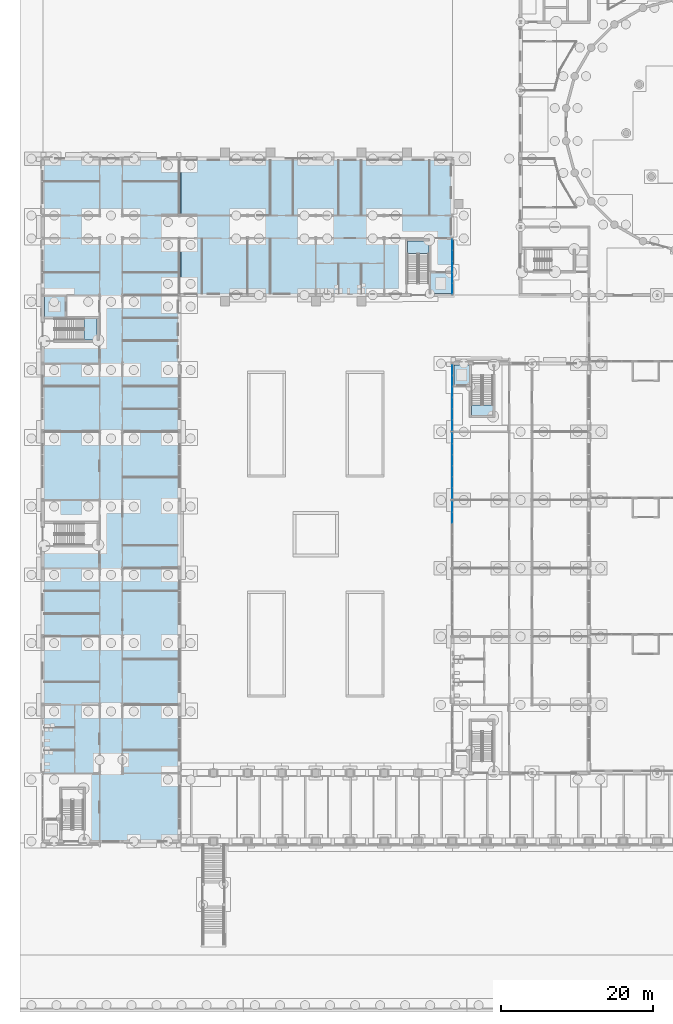
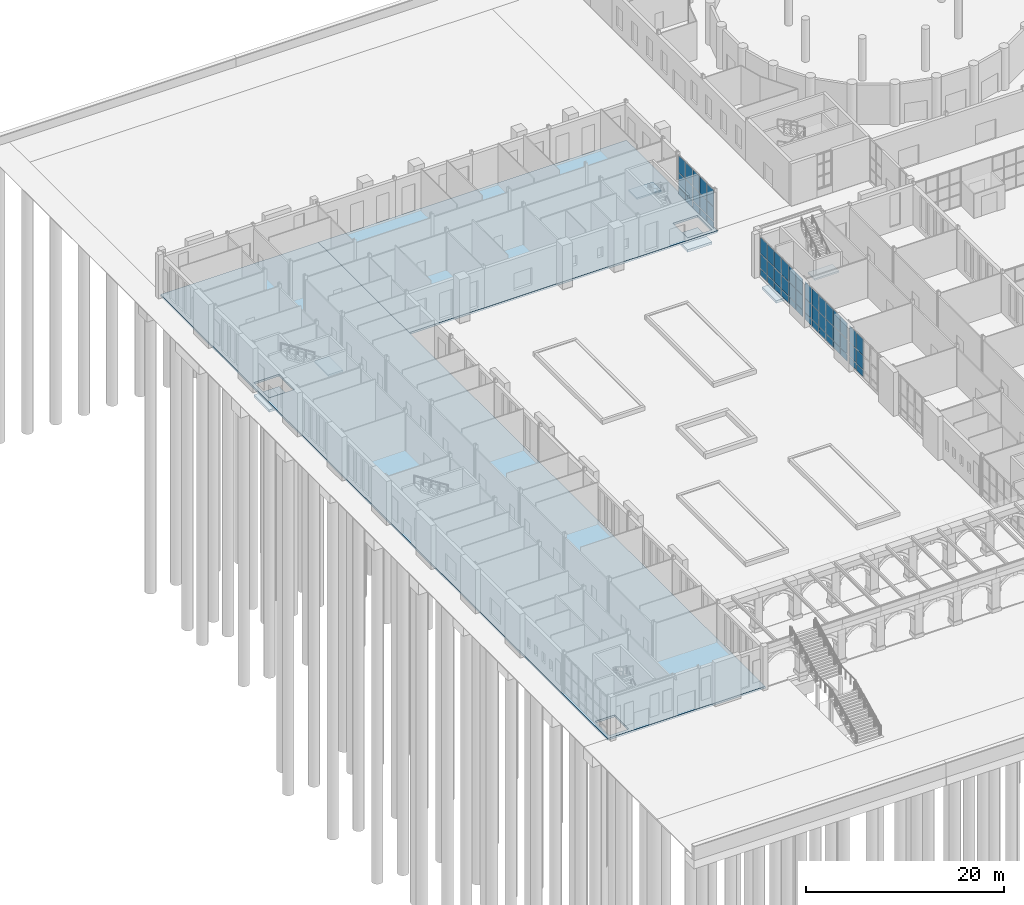
# One storey, part 76 of 168: 57 plates, 8 slabs, 7 elements without a shape of their own.
"""IFC4 building model written with IfcOpenShell, lengths in metres."""

import ifcopenshell
import ifcopenshell.guid

model = None  # the IFC model being written
_history = None  # IfcOwnerHistory: only IFC2X3 demands one
_inside = {}  # id of a spatial element -> (the spatial element, [elements in it])
_under = {}  # id of a project, library or spatial element -> (it, [spatial elements below it])
_declared = {}  # id of a project -> (the project, [libraries it declares])
_typed = {}  # id of a type object -> (the type object, [elements of that type])
_made_of = {}  # id of a material, layer set ... -> (it, [elements and type objects made of it])


def new_model(schema):
    """Start an empty IFC model of exactly this schema.

    Asked for "IFC4X3", IfcOpenShell would pick the latest addendum, in which some entities
    have other attributes; the version numbers below select the first issue.
    IFC2X3 requires an IfcOwnerHistory on every rooted entity: one is made here for all.
    """
    global model, _history
    if schema == "IFC4X3":
        model = ifcopenshell.file(schema_version=(4, 3, 0, 0))
    else:
        model = ifcopenshell.file(schema=schema)
    _inside.clear()
    _under.clear()
    _declared.clear()
    _typed.clear()
    _made_of.clear()
    _history = None
    if model.schema == "IFC2X3":
        org = make("IfcOrganization", Name="unknown")
        user = make(
            "IfcPersonAndOrganization",
            ThePerson=make("IfcPerson", FamilyName="unknown"),
            TheOrganization=org,
        )
        app = make(
            "IfcApplication",
            ApplicationDeveloper=org,
            Version="unknown",
            ApplicationFullName="unknown",
            ApplicationIdentifier="unknown",
        )
        _history = make(
            "IfcOwnerHistory",
            OwningUser=user,
            OwningApplication=app,
            ChangeAction="ADDED",
            CreationDate=0,
        )
    return model


def make(cls, **values):
    """One entity of the class cls with the attributes given. An attribute that is None is left unset."""
    return model.create_entity(
        cls, **{name: value for name, value in values.items() if value is not None}
    )


def rooted(cls, **values):
    """An entity with a GlobalId (a new one), such as an element, a storey or a relation."""
    return make(cls, GlobalId=ifcopenshell.guid.new(), OwnerHistory=_history, **values)


def si_unit(unit_type, name, prefix=None):
    """IfcSIUnit, for example si_unit("LENGTHUNIT", "METRE", prefix="MILLI")."""
    return make("IfcSIUnit", UnitType=unit_type, Prefix=prefix, Name=name)


def assignment(units):
    """IfcUnitAssignment: the units of a project."""
    return None if units is None else make("IfcUnitAssignment", Units=units)


def point(xyz):
    """IfcCartesianPoint."""
    return None if xyz is None else make("IfcCartesianPoint", Coordinates=xyz)


def direction(xyz):
    """IfcDirection."""
    return None if xyz is None else make("IfcDirection", DirectionRatios=xyz)


def frame(location, z_axis=None, x_axis=None):
    """IfcAxis2Placement3D, a coordinate frame: its origin and axes. An axis left out is left unset."""
    return make(
        "IfcAxis2Placement3D",
        Location=point(location),
        Axis=direction(z_axis),
        RefDirection=direction(x_axis),
    )


def frame_2d(location, x_axis=None):
    """IfcAxis2Placement2D, a coordinate frame in the plane: its origin and x axis."""
    return make(
        "IfcAxis2Placement2D", Location=point(location), RefDirection=direction(x_axis)
    )


def origin():
    """The frame at (0, 0, 0) with its axes left unset."""
    return frame((0.0, 0.0, 0.0))


def origin_2d():
    """The frame at (0, 0) in the plane with its x axis left unset."""
    return frame_2d((0.0, 0.0))


def place(relative_to, where):
    """IfcLocalPlacement: puts the frame where relative to a parent placement (None: the world)."""
    return make(
        "IfcLocalPlacement", PlacementRelTo=relative_to, RelativePlacement=where
    )


def context(
    kind, dimensions, precision=None, world=None, true_north=None, identifier=None
):
    """IfcGeometricRepresentationContext, for example the 3D "Model" context."""
    return make(
        "IfcGeometricRepresentationContext",
        ContextIdentifier=identifier,
        ContextType=kind,
        CoordinateSpaceDimension=dimensions,
        Precision=precision,
        WorldCoordinateSystem=world,
        TrueNorth=true_north,
    )


def subcontext(parent, identifier, kind, view, scale=None):
    """IfcGeometricRepresentationSubContext, for example "Body" below "Model"."""
    return make(
        "IfcGeometricRepresentationSubContext",
        ContextIdentifier=identifier,
        ContextType=kind,
        ParentContext=parent,
        TargetScale=scale,
        TargetView=view,
    )


def project(units=None, contexts=None):
    """IfcProject with its units and contexts."""
    return rooted(
        "IfcProject",
        Name="project",
        RepresentationContexts=contexts,
        UnitsInContext=assignment(units),
    )


def spatial(cls, under=None, at=None, **own):
    """A site, building, storey or space (cls), placed at a placement, below another one or the project."""
    s = rooted(cls, ObjectPlacement=at, **own)
    if under is not None:
        _under.setdefault(under.id(), (under, []))[1].append(s)
    return s


def polyline(points):
    """IfcPolyline through the points."""
    return make("IfcPolyline", Points=[point(p) for p in points])


def profile(cls, at=None, kind="AREA", **sizes):
    """A parametric profile (cls). Its sizes go by their IFC names, for example OverallWidth=200.0."""
    return make(cls, ProfileType=kind, Position=at, **sizes)


def rectangle(**sizes):
    """IfcRectangleProfileDef."""
    return profile("IfcRectangleProfileDef", **sizes)


def outline(outer, holes=None, kind="AREA"):
    """IfcArbitraryClosedProfileDef: a profile drawn as a closed curve; with holes, ...WithVoids."""
    if holes is None:
        return make("IfcArbitraryClosedProfileDef", ProfileType=kind, OuterCurve=outer)
    return make(
        "IfcArbitraryProfileDefWithVoids",
        ProfileType=kind,
        OuterCurve=outer,
        InnerCurves=holes,
    )


def extrude(swept, where, along, depth):
    """IfcExtrudedAreaSolid: the profile swept, set in the frame where, extruded along a direction by depth."""
    return make(
        "IfcExtrudedAreaSolid",
        SweptArea=swept,
        Position=where,
        ExtrudedDirection=direction(along),
        Depth=depth,
    )


def shape(context_of_items, identifier, shape_type, items):
    """IfcShapeRepresentation: the items that make up one representation, for example the "Body"."""
    return make(
        "IfcShapeRepresentation",
        ContextOfItems=context_of_items,
        RepresentationIdentifier=identifier,
        RepresentationType=shape_type,
        Items=items,
    )


def material(Name=None, Category=None):
    """IfcMaterial."""
    return make("IfcMaterial", Name=Name, Category=Category)


def layer(
    of_material, thickness, ventilated=None, Name=None, Category=None, Priority=None
):
    """IfcMaterialLayer: one layer of a wall or slab, of a material (None: an air gap)."""
    return make(
        "IfcMaterialLayer",
        Material=of_material,
        LayerThickness=thickness,
        IsVentilated=ventilated,
        Name=Name,
        Category=Category,
        Priority=Priority,
    )


def layer_set(layers, Name=None):
    """IfcMaterialLayerSet."""
    return make("IfcMaterialLayerSet", MaterialLayers=layers, LayerSetName=Name)


def made_of(thing, what):
    """Note that an element or type object is made of a material, layer set ...; save() writes the relation."""
    if what is not None:
        _made_of.setdefault(what.id(), (what, []))[1].append(thing)
    return thing


def type_object(cls, material=None, **own):
    """A type object (cls), such as IfcWallType, which elements share."""
    return made_of(rooted(cls, **own), material)


def element(
    cls,
    number,
    at=None,
    inside=None,
    cuts=None,
    type_object=None,
    material=None,
    context=None,
    identifier="Body",
    shape_type=None,
    held_by="IfcProductDefinitionShape",
    body=None,
    shapes=None,
    **own,
):
    """One element of the class cls, such as IfcWall. Its Tag is "e" and its number.

    at: its placement. inside: the storey or other place that contains it. cuts: it is an
    opening in that element (IfcRelVoidsElement). A single representation is given by context,
    identifier, shape_type and body (its items); several are given by shapes. held_by: the class
    of the entity that holds the representations. save() writes the other relations.
    """
    e = rooted(cls, Tag="e%d" % number, ObjectPlacement=at, **own)
    if body is not None:
        shapes = [shape(context, identifier, shape_type, body)]
    if shapes is not None:
        e.Representation = make(held_by, Representations=shapes)
    if inside is not None:
        _inside.setdefault(inside.id(), (inside, []))[1].append(e)
    if cuts is not None:
        rooted(
            "IfcRelVoidsElement", RelatingBuildingElement=cuts, RelatedOpeningElement=e
        )
    if type_object is not None:
        _typed.setdefault(type_object.id(), (type_object, []))[1].append(e)
    return made_of(e, material)


def aggregate(whole, parts):
    """IfcRelAggregates: a whole, such as a stair, and the parts it consists of."""
    return rooted("IfcRelAggregates", RelatingObject=whole, RelatedObjects=parts)


def save(model, path):
    """Write the relations noted so far, then the file.

    IfcRelAggregates (storeys below a building ...), IfcRelContainedInSpatialStructure (elements
    in a storey), IfcRelDefinesByType, IfcRelAssociatesMaterial and IfcRelDeclares: one each for
    every whole, place, type object, material and project.
    """
    for whole, parts in _under.values():
        aggregate(whole, parts)
    for where, things in _inside.values():
        rooted(
            "IfcRelContainedInSpatialStructure",
            RelatedElements=things,
            RelatingStructure=where,
        )
    for kind, things in _typed.values():
        rooted("IfcRelDefinesByType", RelatedObjects=things, RelatingType=kind)
    for what, things in _made_of.values():
        rooted("IfcRelAssociatesMaterial", RelatedObjects=things, RelatingMaterial=what)
    for by, libraries in _declared.values():
        rooted("IfcRelDeclares", RelatingContext=by, RelatedDefinitions=libraries)
    model.write(path)


model = new_model("IFC4")

# Units and contexts
model_context = context("Model", 3, precision=1e-05, world=origin(), true_north=direction((0.0, 1.0)))
body_context = subcontext(model_context, "Body", "Model", "MODEL_VIEW")
ifc_project = project(units=[si_unit("LENGTHUNIT", "METRE"), si_unit("AREAUNIT", "SQUARE_METRE"), si_unit("VOLUMEUNIT", "CUBIC_METRE"), si_unit("PLANEANGLEUNIT", "RADIAN"), si_unit("MASSUNIT", "GRAM", prefix="KILO")], contexts=[model_context])

# Site, building, storey
site_placement = place(None, origin())
site = spatial("IfcSite", under=ifc_project, at=site_placement, CompositionType="ELEMENT")
building_placement = place(site_placement, origin())
building = spatial("IfcBuilding", under=site, at=building_placement, Name="Golden Quay Civic Hall", CompositionType="ELEMENT")
storey_placement = place(building_placement, origin())
storey = spatial("IfcBuildingStorey", under=building, at=storey_placement, Name="L00", CompositionType="ELEMENT", Elevation=0.0)

# Stair, slab
ifc_material_1 = material(Name="Concrete C35/45", Category="concrete")
stair_type = type_object("IfcStairType", Name="Concrete stair 1350 wide 30 risers of 180.0", PredefinedType="HALF_TURN_STAIR", material=ifc_material_1)
stair_1_placement = place(storey_placement, origin())
stair_1 = element("IfcStair", 1, at=stair_1_placement, inside=storey, type_object=stair_type, Name="L00 Stair WO-N", PredefinedType="HALF_TURN_STAIR")
ifc_material_2 = material(Name="Concrete C35/45", Category="concrete")
ifc_layer_1 = layer(ifc_material_2, 0.199951171875)
ifc_layer_set_1 = layer_set([ifc_layer_1], Name="Concrete stair landing 200, Concrete C35/45")
slab_type_1 = type_object("IfcSlabType", Name="Concrete stair landing 200", PredefinedType="LANDING", material=ifc_layer_set_1)
slab_1_placement = place(storey_placement, frame((0.0, 0.0, 2.5)))
slab_1 = element("IfcSlab", 2, at=slab_1_placement, type_object=slab_type_1, Name="WO-N landing 1", PredefinedType="LANDING", context=body_context, shape_type="SweptSolid", body=[
    extrude(outline(polyline([(5.469970703125, 57.074951171875), (7.175048828125, 57.074951171875), (7.175048828125, 59.925048828125), (5.469970703125, 59.925048828125), (5.469970703125, 57.074951171875)])), origin(), (0.0, 0.0, 1.0), 0.199951171875),
])
aggregate(stair_1, [slab_1])

stair_2_placement = place(storey_placement, origin())
stair_2 = element("IfcStair", 3, at=stair_2_placement, inside=storey, type_object=stair_type, Name="L00 Stair NW-E", PredefinedType="HALF_TURN_STAIR")
slab_2_placement = place(storey_placement, frame((0.0, 0.0, 2.5)))
slab_2 = element("IfcSlab", 4, at=slab_2_placement, type_object=slab_type_1, Name="NW-E landing 1", PredefinedType="LANDING", context=body_context, shape_type="SweptSolid", body=[
    extrude(outline(polyline([(50.925048828125, 68.469970703125), (50.925048828125, 70.175048828125), (48.074951171875, 70.175048828125), (48.074951171875, 68.469970703125), (50.925048828125, 68.469970703125)])), origin(), (0.0, 0.0, 1.0), 0.199951171875),
])
aggregate(stair_2, [slab_2])

stair_3_placement = place(storey_placement, origin())
stair_3 = element("IfcStair", 5, at=stair_3_placement, inside=storey, type_object=stair_type, Name="L00 Stair WM-N", PredefinedType="HALF_TURN_STAIR")
slab_3_placement = place(storey_placement, frame((0.0, 0.0, 2.5)))
slab_3 = element("IfcSlab", 6, at=slab_3_placement, type_object=slab_type_1, Name="WM-N landing 1", PredefinedType="LANDING", context=body_context, shape_type="SweptSolid", body=[
    extrude(outline(polyline([(56.5, 48.530029296875), (56.5, 47.14990234375), (59.35009765625, 47.14990234375), (59.35009765625, 48.530029296875), (56.5, 48.530029296875)])), origin(), (0.0, 0.0, 1.0), 0.199951171875),
])
aggregate(stair_3, [slab_3])

# Curtain wall, plates
ifc_material_3 = material(Name="Glass, laminated double glazed", Category="glass")
ifc_layer_2 = layer(ifc_material_3, 0.199951171875)
ifc_layer_set_2 = layer_set([ifc_layer_2], Name="Glazed core strip curtain wall")
curtain_wall_type = type_object("IfcCurtainWallType", Name="Glazed core strip curtain wall", PredefinedType="NOTDEFINED", material=ifc_layer_set_2)
curtain_wall_1_placement = place(storey_placement, origin())
curtain_wall_1 = element("IfcCurtainWall", 7, at=curtain_wall_1_placement, inside=storey, type_object=curtain_wall_type, Name="Glazed core strip curtain wall L00 2", PredefinedType="NOTDEFINED")
ifc_material_4 = material(Name="Glass, laminated double glazed", Category="glass")
ifc_layer_3 = layer(ifc_material_4, 0.028076171875)
ifc_layer_set_3 = layer_set([ifc_layer_3], Name="Double glazed curtain wall panel 28")
plate_type = type_object("IfcPlateType", Name="Double glazed curtain wall panel 28", PredefinedType="CURTAIN_PANEL", material=ifc_layer_set_3)
plate_1_placement = place(storey_placement, frame((54.0, 69.614990234375, 0.06005859375), z_axis=(0.0, 0.0, 1.0), x_axis=(0.0, -1.0, 0.0)))
plate_1 = element("IfcPlate", 8, at=plate_1_placement, type_object=plate_type, Name="CW2 panel 1.1", PredefinedType="CURTAIN_PANEL", context=body_context, shape_type="SweptSolid", body=[
    extrude(rectangle(XDim=1.35009765625, YDim=0.028076171875, at=origin_2d()), origin(), (0.0, 0.0, 1.0), 0.81005859375),
])
plate_2_placement = place(storey_placement, frame((54.0, 69.614990234375, 0.93017578125), z_axis=(0.0, 0.0, 1.0), x_axis=(0.0, -1.0, 0.0)))
plate_2 = element("IfcPlate", 9, at=plate_2_placement, type_object=plate_type, Name="CW2 panel 1.2", PredefinedType="CURTAIN_PANEL", context=body_context, shape_type="SweptSolid", body=[
    extrude(rectangle(XDim=1.35009765625, YDim=0.028076171875, at=origin_2d()), origin(), (0.0, 0.0, 1.0), 1.739990234375),
])
plate_3_placement = place(storey_placement, frame((54.0, 69.614990234375, 2.72998046875), z_axis=(0.0, 0.0, 1.0), x_axis=(0.0, -1.0, 0.0)))
plate_3 = element("IfcPlate", 10, at=plate_3_placement, type_object=plate_type, Name="CW2 panel 1.3", PredefinedType="CURTAIN_PANEL", context=body_context, shape_type="SweptSolid", body=[
    extrude(rectangle(XDim=1.35009765625, YDim=0.028076171875, at=origin_2d()), origin(), (0.0, 0.0, 1.0), 2.080078125),
])
plate_4_placement = place(storey_placement, frame((54.0, 68.18994140625, 0.06005859375), z_axis=(0.0, 0.0, 1.0), x_axis=(0.0, -1.0, 0.0)))
plate_4 = element("IfcPlate", 11, at=plate_4_placement, type_object=plate_type, Name="CW2 panel 2.1", PredefinedType="CURTAIN_PANEL", context=body_context, shape_type="SweptSolid", body=[
    extrude(rectangle(XDim=1.3798828125, YDim=0.028076171875, at=origin_2d()), origin(), (0.0, 0.0, 1.0), 0.81005859375),
])
plate_5_placement = place(storey_placement, frame((54.0, 68.18994140625, 0.93017578125), z_axis=(0.0, 0.0, 1.0), x_axis=(0.0, -1.0, 0.0)))
plate_5 = element("IfcPlate", 12, at=plate_5_placement, type_object=plate_type, Name="CW2 panel 2.2", PredefinedType="CURTAIN_PANEL", context=body_context, shape_type="SweptSolid", body=[
    extrude(rectangle(XDim=1.3798828125, YDim=0.028076171875, at=origin_2d()), origin(), (0.0, 0.0, 1.0), 1.739990234375),
])
plate_6_placement = place(storey_placement, frame((54.0, 68.18994140625, 2.72998046875), z_axis=(0.0, 0.0, 1.0), x_axis=(0.0, -1.0, 0.0)))
plate_6 = element("IfcPlate", 13, at=plate_6_placement, type_object=plate_type, Name="CW2 panel 2.3", PredefinedType="CURTAIN_PANEL", context=body_context, shape_type="SweptSolid", body=[
    extrude(rectangle(XDim=1.3798828125, YDim=0.028076171875, at=origin_2d()), origin(), (0.0, 0.0, 1.0), 2.080078125),
])
plate_7_placement = place(storey_placement, frame((54.0, 66.75, 0.06005859375), z_axis=(0.0, 0.0, 1.0), x_axis=(0.0, -1.0, 0.0)))
plate_7 = element("IfcPlate", 14, at=plate_7_placement, type_object=plate_type, Name="CW2 panel 3.1", PredefinedType="CURTAIN_PANEL", context=body_context, shape_type="SweptSolid", body=[
    extrude(rectangle(XDim=1.3798828125, YDim=0.028076171875, at=origin_2d()), origin(), (0.0, 0.0, 1.0), 0.81005859375),
])
plate_8_placement = place(storey_placement, frame((54.0, 66.75, 0.93017578125), z_axis=(0.0, 0.0, 1.0), x_axis=(0.0, -1.0, 0.0)))
plate_8 = element("IfcPlate", 15, at=plate_8_placement, type_object=plate_type, Name="CW2 panel 3.2", PredefinedType="CURTAIN_PANEL", context=body_context, shape_type="SweptSolid", body=[
    extrude(rectangle(XDim=1.3798828125, YDim=0.028076171875, at=origin_2d()), origin(), (0.0, 0.0, 1.0), 1.739990234375),
])
plate_9_placement = place(storey_placement, frame((54.0, 66.75, 2.72998046875), z_axis=(0.0, 0.0, 1.0), x_axis=(0.0, -1.0, 0.0)))
plate_9 = element("IfcPlate", 16, at=plate_9_placement, type_object=plate_type, Name="CW2 panel 3.3", PredefinedType="CURTAIN_PANEL", context=body_context, shape_type="SweptSolid", body=[
    extrude(rectangle(XDim=1.3798828125, YDim=0.028076171875, at=origin_2d()), origin(), (0.0, 0.0, 1.0), 2.080078125),
])
plate_10_placement = place(storey_placement, frame((54.0, 65.31005859375, 0.06005859375), z_axis=(0.0, 0.0, 1.0), x_axis=(0.0, -1.0, 0.0)))
plate_10 = element("IfcPlate", 17, at=plate_10_placement, type_object=plate_type, Name="CW2 panel 4.1", PredefinedType="CURTAIN_PANEL", context=body_context, shape_type="SweptSolid", body=[
    extrude(rectangle(XDim=1.3798828125, YDim=0.028076171875, at=origin_2d()), origin(), (0.0, 0.0, 1.0), 0.81005859375),
])
plate_11_placement = place(storey_placement, frame((54.0, 65.31005859375, 0.93017578125), z_axis=(0.0, 0.0, 1.0), x_axis=(0.0, -1.0, 0.0)))
plate_11 = element("IfcPlate", 18, at=plate_11_placement, type_object=plate_type, Name="CW2 panel 4.2", PredefinedType="CURTAIN_PANEL", context=body_context, shape_type="SweptSolid", body=[
    extrude(rectangle(XDim=1.3798828125, YDim=0.028076171875, at=origin_2d()), origin(), (0.0, 0.0, 1.0), 1.739990234375),
])
plate_12_placement = place(storey_placement, frame((54.0, 65.31005859375, 2.72998046875), z_axis=(0.0, 0.0, 1.0), x_axis=(0.0, -1.0, 0.0)))
plate_12 = element("IfcPlate", 19, at=plate_12_placement, type_object=plate_type, Name="CW2 panel 4.3", PredefinedType="CURTAIN_PANEL", context=body_context, shape_type="SweptSolid", body=[
    extrude(rectangle(XDim=1.3798828125, YDim=0.028076171875, at=origin_2d()), origin(), (0.0, 0.0, 1.0), 2.080078125),
])
plate_13_placement = place(storey_placement, frame((54.0, 63.885009765625, 0.06005859375), z_axis=(0.0, 0.0, 1.0), x_axis=(0.0, -1.0, 0.0)))
plate_13 = element("IfcPlate", 20, at=plate_13_placement, type_object=plate_type, Name="CW2 panel 5.1", PredefinedType="CURTAIN_PANEL", context=body_context, shape_type="SweptSolid", body=[
    extrude(rectangle(XDim=1.35009765625, YDim=0.028076171875, at=origin_2d()), origin(), (0.0, 0.0, 1.0), 0.81005859375),
])
plate_14_placement = place(storey_placement, frame((54.0, 63.885009765625, 0.93017578125), z_axis=(0.0, 0.0, 1.0), x_axis=(0.0, -1.0, 0.0)))
plate_14 = element("IfcPlate", 21, at=plate_14_placement, type_object=plate_type, Name="CW2 panel 5.2", PredefinedType="CURTAIN_PANEL", context=body_context, shape_type="SweptSolid", body=[
    extrude(rectangle(XDim=1.35009765625, YDim=0.028076171875, at=origin_2d()), origin(), (0.0, 0.0, 1.0), 1.739990234375),
])
plate_15_placement = place(storey_placement, frame((54.0, 63.885009765625, 2.72998046875), z_axis=(0.0, 0.0, 1.0), x_axis=(0.0, -1.0, 0.0)))
plate_15 = element("IfcPlate", 22, at=plate_15_placement, type_object=plate_type, Name="CW2 panel 5.3", PredefinedType="CURTAIN_PANEL", context=body_context, shape_type="SweptSolid", body=[
    extrude(rectangle(XDim=1.35009765625, YDim=0.028076171875, at=origin_2d()), origin(), (0.0, 0.0, 1.0), 2.080078125),
])
aggregate(curtain_wall_1, [plate_1, plate_2, plate_3, plate_4, plate_5, plate_6, plate_7, plate_8, plate_9, plate_10, plate_11, plate_12, plate_13, plate_14, plate_15])

curtain_wall_2_placement = place(storey_placement, origin())
curtain_wall_2 = element("IfcCurtainWall", 23, at=curtain_wall_2_placement, inside=storey, type_object=curtain_wall_type, Name="Glazed core strip curtain wall L00 5", PredefinedType="NOTDEFINED")
plate_16_placement = place(storey_placement, frame((54.0, 33.677490234375, 0.06005859375), z_axis=(0.0, 0.0, 1.0), x_axis=(0.0, 1.0, 0.0)))
plate_16 = element("IfcPlate", 24, at=plate_16_placement, type_object=plate_type, Name="CW2 panel 5.1", PredefinedType="CURTAIN_PANEL", context=body_context, shape_type="SweptSolid", body=[
    extrude(rectangle(XDim=1.3916015625, YDim=0.028076171875, at=origin_2d()), origin(), (0.0, 0.0, 1.0), 0.81005859375),
])
plate_17_placement = place(storey_placement, frame((54.0, 33.677490234375, 0.93017578125), z_axis=(0.0, 0.0, 1.0), x_axis=(0.0, 1.0, 0.0)))
plate_17 = element("IfcPlate", 25, at=plate_17_placement, type_object=plate_type, Name="CW2 panel 5.2", PredefinedType="CURTAIN_PANEL", context=body_context, shape_type="SweptSolid", body=[
    extrude(rectangle(XDim=1.3916015625, YDim=0.028076171875, at=origin_2d()), origin(), (0.0, 0.0, 1.0), 1.739990234375),
])
plate_18_placement = place(storey_placement, frame((54.0, 33.677490234375, 2.72998046875), z_axis=(0.0, 0.0, 1.0), x_axis=(0.0, 1.0, 0.0)))
plate_18 = element("IfcPlate", 26, at=plate_18_placement, type_object=plate_type, Name="CW2 panel 5.3", PredefinedType="CURTAIN_PANEL", context=body_context, shape_type="SweptSolid", body=[
    extrude(rectangle(XDim=1.3916015625, YDim=0.028076171875, at=origin_2d()), origin(), (0.0, 0.0, 1.0), 2.010009765625),
])
plate_19_placement = place(storey_placement, frame((54.0, 35.1142578125, 0.06005859375), z_axis=(0.0, 0.0, 1.0), x_axis=(0.0, 1.0, 0.0)))
plate_19 = element("IfcPlate", 27, at=plate_19_placement, type_object=plate_type, Name="CW2 panel 6.1", PredefinedType="CURTAIN_PANEL", context=body_context, shape_type="SweptSolid", body=[
    extrude(rectangle(XDim=1.361572265625, YDim=0.028076171875, at=origin_2d()), origin(), (0.0, 0.0, 1.0), 0.81005859375),
])
plate_20_placement = place(storey_placement, frame((54.0, 35.1142578125, 0.93017578125), z_axis=(0.0, 0.0, 1.0), x_axis=(0.0, 1.0, 0.0)))
plate_20 = element("IfcPlate", 28, at=plate_20_placement, type_object=plate_type, Name="CW2 panel 6.2", PredefinedType="CURTAIN_PANEL", context=body_context, shape_type="SweptSolid", body=[
    extrude(rectangle(XDim=1.361572265625, YDim=0.028076171875, at=origin_2d()), origin(), (0.0, 0.0, 1.0), 1.739990234375),
])
plate_21_placement = place(storey_placement, frame((54.0, 35.1142578125, 2.72998046875), z_axis=(0.0, 0.0, 1.0), x_axis=(0.0, 1.0, 0.0)))
plate_21 = element("IfcPlate", 29, at=plate_21_placement, type_object=plate_type, Name="CW2 panel 6.3", PredefinedType="CURTAIN_PANEL", context=body_context, shape_type="SweptSolid", body=[
    extrude(rectangle(XDim=1.361572265625, YDim=0.028076171875, at=origin_2d()), origin(), (0.0, 0.0, 1.0), 2.010009765625),
])
aggregate(curtain_wall_2, [plate_16, plate_17, plate_18, plate_19, plate_20, plate_21])

curtain_wall_3_placement = place(storey_placement, origin())
curtain_wall_3 = element("IfcCurtainWall", 30, at=curtain_wall_3_placement, inside=storey, type_object=curtain_wall_type, Name="Glazed core strip curtain wall L00 6", PredefinedType="NOTDEFINED")
plate_22_placement = place(storey_placement, frame((54.0, 36.8857421875, 0.06005859375), z_axis=(0.0, 0.0, 1.0), x_axis=(0.0, 1.0, 0.0)))
plate_22 = element("IfcPlate", 31, at=plate_22_placement, type_object=plate_type, Name="CW2 panel 1.1", PredefinedType="CURTAIN_PANEL", context=body_context, shape_type="SweptSolid", body=[
    extrude(rectangle(XDim=1.361572265625, YDim=0.028076171875, at=origin_2d()), origin(), (0.0, 0.0, 1.0), 0.81005859375),
])
plate_23_placement = place(storey_placement, frame((54.0, 36.8857421875, 0.93017578125), z_axis=(0.0, 0.0, 1.0), x_axis=(0.0, 1.0, 0.0)))
plate_23 = element("IfcPlate", 32, at=plate_23_placement, type_object=plate_type, Name="CW2 panel 1.2", PredefinedType="CURTAIN_PANEL", context=body_context, shape_type="SweptSolid", body=[
    extrude(rectangle(XDim=1.361572265625, YDim=0.028076171875, at=origin_2d()), origin(), (0.0, 0.0, 1.0), 1.739990234375),
])
plate_24_placement = place(storey_placement, frame((54.0, 36.8857421875, 2.72998046875), z_axis=(0.0, 0.0, 1.0), x_axis=(0.0, 1.0, 0.0)))
plate_24 = element("IfcPlate", 33, at=plate_24_placement, type_object=plate_type, Name="CW2 panel 1.3", PredefinedType="CURTAIN_PANEL", context=body_context, shape_type="SweptSolid", body=[
    extrude(rectangle(XDim=1.361572265625, YDim=0.028076171875, at=origin_2d()), origin(), (0.0, 0.0, 1.0), 2.010009765625),
])
plate_25_placement = place(storey_placement, frame((54.0, 38.322509765625, 0.06005859375), z_axis=(0.0, 0.0, 1.0), x_axis=(0.0, 1.0, 0.0)))
plate_25 = element("IfcPlate", 34, at=plate_25_placement, type_object=plate_type, Name="CW2 panel 2.1", PredefinedType="CURTAIN_PANEL", context=body_context, shape_type="SweptSolid", body=[
    extrude(rectangle(XDim=1.3916015625, YDim=0.028076171875, at=origin_2d()), origin(), (0.0, 0.0, 1.0), 0.81005859375),
])
plate_26_placement = place(storey_placement, frame((54.0, 38.322509765625, 0.93017578125), z_axis=(0.0, 0.0, 1.0), x_axis=(0.0, 1.0, 0.0)))
plate_26 = element("IfcPlate", 35, at=plate_26_placement, type_object=plate_type, Name="CW2 panel 2.2", PredefinedType="CURTAIN_PANEL", context=body_context, shape_type="SweptSolid", body=[
    extrude(rectangle(XDim=1.3916015625, YDim=0.028076171875, at=origin_2d()), origin(), (0.0, 0.0, 1.0), 1.739990234375),
])
plate_27_placement = place(storey_placement, frame((54.0, 38.322509765625, 2.72998046875), z_axis=(0.0, 0.0, 1.0), x_axis=(0.0, 1.0, 0.0)))
plate_27 = element("IfcPlate", 36, at=plate_27_placement, type_object=plate_type, Name="CW2 panel 2.3", PredefinedType="CURTAIN_PANEL", context=body_context, shape_type="SweptSolid", body=[
    extrude(rectangle(XDim=1.3916015625, YDim=0.028076171875, at=origin_2d()), origin(), (0.0, 0.0, 1.0), 2.010009765625),
])
plate_28_placement = place(storey_placement, frame((54.0, 39.774169921875, 0.06005859375), z_axis=(0.0, 0.0, 1.0), x_axis=(0.0, 1.0, 0.0)))
plate_28 = element("IfcPlate", 37, at=plate_28_placement, type_object=plate_type, Name="CW2 panel 3.1", PredefinedType="CURTAIN_PANEL", context=body_context, shape_type="SweptSolid", body=[
    extrude(rectangle(XDim=1.3916015625, YDim=0.028076171875, at=origin_2d()), origin(), (0.0, 0.0, 1.0), 0.81005859375),
])
plate_29_placement = place(storey_placement, frame((54.0, 39.774169921875, 0.93017578125), z_axis=(0.0, 0.0, 1.0), x_axis=(0.0, 1.0, 0.0)))
plate_29 = element("IfcPlate", 38, at=plate_29_placement, type_object=plate_type, Name="CW2 panel 3.2", PredefinedType="CURTAIN_PANEL", context=body_context, shape_type="SweptSolid", body=[
    extrude(rectangle(XDim=1.3916015625, YDim=0.028076171875, at=origin_2d()), origin(), (0.0, 0.0, 1.0), 1.739990234375),
])
plate_30_placement = place(storey_placement, frame((54.0, 39.774169921875, 2.72998046875), z_axis=(0.0, 0.0, 1.0), x_axis=(0.0, 1.0, 0.0)))
plate_30 = element("IfcPlate", 39, at=plate_30_placement, type_object=plate_type, Name="CW2 panel 3.3", PredefinedType="CURTAIN_PANEL", context=body_context, shape_type="SweptSolid", body=[
    extrude(rectangle(XDim=1.3916015625, YDim=0.028076171875, at=origin_2d()), origin(), (0.0, 0.0, 1.0), 2.010009765625),
])
plate_31_placement = place(storey_placement, frame((54.0, 41.225830078125, 0.06005859375), z_axis=(0.0, 0.0, 1.0), x_axis=(0.0, 1.0, 0.0)))
plate_31 = element("IfcPlate", 40, at=plate_31_placement, type_object=plate_type, Name="CW2 panel 4.1", PredefinedType="CURTAIN_PANEL", context=body_context, shape_type="SweptSolid", body=[
    extrude(rectangle(XDim=1.3916015625, YDim=0.028076171875, at=origin_2d()), origin(), (0.0, 0.0, 1.0), 0.81005859375),
])
plate_32_placement = place(storey_placement, frame((54.0, 41.225830078125, 0.93017578125), z_axis=(0.0, 0.0, 1.0), x_axis=(0.0, 1.0, 0.0)))
plate_32 = element("IfcPlate", 41, at=plate_32_placement, type_object=plate_type, Name="CW2 panel 4.2", PredefinedType="CURTAIN_PANEL", context=body_context, shape_type="SweptSolid", body=[
    extrude(rectangle(XDim=1.3916015625, YDim=0.028076171875, at=origin_2d()), origin(), (0.0, 0.0, 1.0), 1.739990234375),
])
plate_33_placement = place(storey_placement, frame((54.0, 41.225830078125, 2.72998046875), z_axis=(0.0, 0.0, 1.0), x_axis=(0.0, 1.0, 0.0)))
plate_33 = element("IfcPlate", 42, at=plate_33_placement, type_object=plate_type, Name="CW2 panel 4.3", PredefinedType="CURTAIN_PANEL", context=body_context, shape_type="SweptSolid", body=[
    extrude(rectangle(XDim=1.3916015625, YDim=0.028076171875, at=origin_2d()), origin(), (0.0, 0.0, 1.0), 2.010009765625),
])
plate_34_placement = place(storey_placement, frame((54.0, 42.677490234375, 0.06005859375), z_axis=(0.0, 0.0, 1.0), x_axis=(0.0, 1.0, 0.0)))
plate_34 = element("IfcPlate", 43, at=plate_34_placement, type_object=plate_type, Name="CW2 panel 5.1", PredefinedType="CURTAIN_PANEL", context=body_context, shape_type="SweptSolid", body=[
    extrude(rectangle(XDim=1.3916015625, YDim=0.028076171875, at=origin_2d()), origin(), (0.0, 0.0, 1.0), 0.81005859375),
])
plate_35_placement = place(storey_placement, frame((54.0, 42.677490234375, 0.93017578125), z_axis=(0.0, 0.0, 1.0), x_axis=(0.0, 1.0, 0.0)))
plate_35 = element("IfcPlate", 44, at=plate_35_placement, type_object=plate_type, Name="CW2 panel 5.2", PredefinedType="CURTAIN_PANEL", context=body_context, shape_type="SweptSolid", body=[
    extrude(rectangle(XDim=1.3916015625, YDim=0.028076171875, at=origin_2d()), origin(), (0.0, 0.0, 1.0), 1.739990234375),
])
plate_36_placement = place(storey_placement, frame((54.0, 42.677490234375, 2.72998046875), z_axis=(0.0, 0.0, 1.0), x_axis=(0.0, 1.0, 0.0)))
plate_36 = element("IfcPlate", 45, at=plate_36_placement, type_object=plate_type, Name="CW2 panel 5.3", PredefinedType="CURTAIN_PANEL", context=body_context, shape_type="SweptSolid", body=[
    extrude(rectangle(XDim=1.3916015625, YDim=0.028076171875, at=origin_2d()), origin(), (0.0, 0.0, 1.0), 2.010009765625),
])
plate_37_placement = place(storey_placement, frame((54.0, 44.1142578125, 0.06005859375), z_axis=(0.0, 0.0, 1.0), x_axis=(0.0, 1.0, 0.0)))
plate_37 = element("IfcPlate", 46, at=plate_37_placement, type_object=plate_type, Name="CW2 panel 6.1", PredefinedType="CURTAIN_PANEL", context=body_context, shape_type="SweptSolid", body=[
    extrude(rectangle(XDim=1.361572265625, YDim=0.028076171875, at=origin_2d()), origin(), (0.0, 0.0, 1.0), 0.81005859375),
])
plate_38_placement = place(storey_placement, frame((54.0, 44.1142578125, 0.93017578125), z_axis=(0.0, 0.0, 1.0), x_axis=(0.0, 1.0, 0.0)))
plate_38 = element("IfcPlate", 47, at=plate_38_placement, type_object=plate_type, Name="CW2 panel 6.2", PredefinedType="CURTAIN_PANEL", context=body_context, shape_type="SweptSolid", body=[
    extrude(rectangle(XDim=1.361572265625, YDim=0.028076171875, at=origin_2d()), origin(), (0.0, 0.0, 1.0), 1.739990234375),
])
plate_39_placement = place(storey_placement, frame((54.0, 44.1142578125, 2.72998046875), z_axis=(0.0, 0.0, 1.0), x_axis=(0.0, 1.0, 0.0)))
plate_39 = element("IfcPlate", 48, at=plate_39_placement, type_object=plate_type, Name="CW2 panel 6.3", PredefinedType="CURTAIN_PANEL", context=body_context, shape_type="SweptSolid", body=[
    extrude(rectangle(XDim=1.361572265625, YDim=0.028076171875, at=origin_2d()), origin(), (0.0, 0.0, 1.0), 2.010009765625),
])
aggregate(curtain_wall_3, [plate_22, plate_23, plate_24, plate_25, plate_26, plate_27, plate_28, plate_29, plate_30, plate_31, plate_32, plate_33, plate_34, plate_35, plate_36, plate_37, plate_38, plate_39])

curtain_wall_4_placement = place(storey_placement, origin())
curtain_wall_4 = element("IfcCurtainWall", 49, at=curtain_wall_4_placement, inside=storey, type_object=curtain_wall_type, Name="Glazed core strip curtain wall L00 7", PredefinedType="NOTDEFINED")
plate_40_placement = place(storey_placement, frame((54.0, 45.8857421875, 0.06005859375), z_axis=(0.0, 0.0, 1.0), x_axis=(0.0, 1.0, 0.0)))
plate_40 = element("IfcPlate", 50, at=plate_40_placement, type_object=plate_type, Name="CW2 panel 1.1", PredefinedType="CURTAIN_PANEL", context=body_context, shape_type="SweptSolid", body=[
    extrude(rectangle(XDim=1.361572265625, YDim=0.028076171875, at=origin_2d()), origin(), (0.0, 0.0, 1.0), 0.81005859375),
])
plate_41_placement = place(storey_placement, frame((54.0, 45.8857421875, 0.93017578125), z_axis=(0.0, 0.0, 1.0), x_axis=(0.0, 1.0, 0.0)))
plate_41 = element("IfcPlate", 51, at=plate_41_placement, type_object=plate_type, Name="CW2 panel 1.2", PredefinedType="CURTAIN_PANEL", context=body_context, shape_type="SweptSolid", body=[
    extrude(rectangle(XDim=1.361572265625, YDim=0.028076171875, at=origin_2d()), origin(), (0.0, 0.0, 1.0), 1.739990234375),
])
plate_42_placement = place(storey_placement, frame((54.0, 45.8857421875, 2.72998046875), z_axis=(0.0, 0.0, 1.0), x_axis=(0.0, 1.0, 0.0)))
plate_42 = element("IfcPlate", 52, at=plate_42_placement, type_object=plate_type, Name="CW2 panel 1.3", PredefinedType="CURTAIN_PANEL", context=body_context, shape_type="SweptSolid", body=[
    extrude(rectangle(XDim=1.361572265625, YDim=0.028076171875, at=origin_2d()), origin(), (0.0, 0.0, 1.0), 2.010009765625),
])
plate_43_placement = place(storey_placement, frame((54.0, 47.322509765625, 0.06005859375), z_axis=(0.0, 0.0, 1.0), x_axis=(0.0, 1.0, 0.0)))
plate_43 = element("IfcPlate", 53, at=plate_43_placement, type_object=plate_type, Name="CW2 panel 2.1", PredefinedType="CURTAIN_PANEL", context=body_context, shape_type="SweptSolid", body=[
    extrude(rectangle(XDim=1.3916015625, YDim=0.028076171875, at=origin_2d()), origin(), (0.0, 0.0, 1.0), 0.81005859375),
])
plate_44_placement = place(storey_placement, frame((54.0, 47.322509765625, 0.93017578125), z_axis=(0.0, 0.0, 1.0), x_axis=(0.0, 1.0, 0.0)))
plate_44 = element("IfcPlate", 54, at=plate_44_placement, type_object=plate_type, Name="CW2 panel 2.2", PredefinedType="CURTAIN_PANEL", context=body_context, shape_type="SweptSolid", body=[
    extrude(rectangle(XDim=1.3916015625, YDim=0.028076171875, at=origin_2d()), origin(), (0.0, 0.0, 1.0), 1.739990234375),
])
plate_45_placement = place(storey_placement, frame((54.0, 47.322509765625, 2.72998046875), z_axis=(0.0, 0.0, 1.0), x_axis=(0.0, 1.0, 0.0)))
plate_45 = element("IfcPlate", 55, at=plate_45_placement, type_object=plate_type, Name="CW2 panel 2.3", PredefinedType="CURTAIN_PANEL", context=body_context, shape_type="SweptSolid", body=[
    extrude(rectangle(XDim=1.3916015625, YDim=0.028076171875, at=origin_2d()), origin(), (0.0, 0.0, 1.0), 2.010009765625),
])
plate_46_placement = place(storey_placement, frame((54.0, 48.774169921875, 0.06005859375), z_axis=(0.0, 0.0, 1.0), x_axis=(0.0, 1.0, 0.0)))
plate_46 = element("IfcPlate", 56, at=plate_46_placement, type_object=plate_type, Name="CW2 panel 3.1", PredefinedType="CURTAIN_PANEL", context=body_context, shape_type="SweptSolid", body=[
    extrude(rectangle(XDim=1.3916015625, YDim=0.028076171875, at=origin_2d()), origin(), (0.0, 0.0, 1.0), 0.81005859375),
])
plate_47_placement = place(storey_placement, frame((54.0, 48.774169921875, 0.93017578125), z_axis=(0.0, 0.0, 1.0), x_axis=(0.0, 1.0, 0.0)))
plate_47 = element("IfcPlate", 57, at=plate_47_placement, type_object=plate_type, Name="CW2 panel 3.2", PredefinedType="CURTAIN_PANEL", context=body_context, shape_type="SweptSolid", body=[
    extrude(rectangle(XDim=1.3916015625, YDim=0.028076171875, at=origin_2d()), origin(), (0.0, 0.0, 1.0), 1.739990234375),
])
plate_48_placement = place(storey_placement, frame((54.0, 48.774169921875, 2.72998046875), z_axis=(0.0, 0.0, 1.0), x_axis=(0.0, 1.0, 0.0)))
plate_48 = element("IfcPlate", 58, at=plate_48_placement, type_object=plate_type, Name="CW2 panel 3.3", PredefinedType="CURTAIN_PANEL", context=body_context, shape_type="SweptSolid", body=[
    extrude(rectangle(XDim=1.3916015625, YDim=0.028076171875, at=origin_2d()), origin(), (0.0, 0.0, 1.0), 2.010009765625),
])
plate_49_placement = place(storey_placement, frame((54.0, 50.225830078125, 0.06005859375), z_axis=(0.0, 0.0, 1.0), x_axis=(0.0, 1.0, 0.0)))
plate_49 = element("IfcPlate", 59, at=plate_49_placement, type_object=plate_type, Name="CW2 panel 4.1", PredefinedType="CURTAIN_PANEL", context=body_context, shape_type="SweptSolid", body=[
    extrude(rectangle(XDim=1.3916015625, YDim=0.028076171875, at=origin_2d()), origin(), (0.0, 0.0, 1.0), 0.81005859375),
])
plate_50_placement = place(storey_placement, frame((54.0, 50.225830078125, 0.93017578125), z_axis=(0.0, 0.0, 1.0), x_axis=(0.0, 1.0, 0.0)))
plate_50 = element("IfcPlate", 60, at=plate_50_placement, type_object=plate_type, Name="CW2 panel 4.2", PredefinedType="CURTAIN_PANEL", context=body_context, shape_type="SweptSolid", body=[
    extrude(rectangle(XDim=1.3916015625, YDim=0.028076171875, at=origin_2d()), origin(), (0.0, 0.0, 1.0), 1.739990234375),
])
plate_51_placement = place(storey_placement, frame((54.0, 50.225830078125, 2.72998046875), z_axis=(0.0, 0.0, 1.0), x_axis=(0.0, 1.0, 0.0)))
plate_51 = element("IfcPlate", 61, at=plate_51_placement, type_object=plate_type, Name="CW2 panel 4.3", PredefinedType="CURTAIN_PANEL", context=body_context, shape_type="SweptSolid", body=[
    extrude(rectangle(XDim=1.3916015625, YDim=0.028076171875, at=origin_2d()), origin(), (0.0, 0.0, 1.0), 2.010009765625),
])
plate_52_placement = place(storey_placement, frame((54.0, 51.677490234375, 0.06005859375), z_axis=(0.0, 0.0, 1.0), x_axis=(0.0, 1.0, 0.0)))
plate_52 = element("IfcPlate", 62, at=plate_52_placement, type_object=plate_type, Name="CW2 panel 5.1", PredefinedType="CURTAIN_PANEL", context=body_context, shape_type="SweptSolid", body=[
    extrude(rectangle(XDim=1.3916015625, YDim=0.028076171875, at=origin_2d()), origin(), (0.0, 0.0, 1.0), 0.81005859375),
])
plate_53_placement = place(storey_placement, frame((54.0, 51.677490234375, 0.93017578125), z_axis=(0.0, 0.0, 1.0), x_axis=(0.0, 1.0, 0.0)))
plate_53 = element("IfcPlate", 63, at=plate_53_placement, type_object=plate_type, Name="CW2 panel 5.2", PredefinedType="CURTAIN_PANEL", context=body_context, shape_type="SweptSolid", body=[
    extrude(rectangle(XDim=1.3916015625, YDim=0.028076171875, at=origin_2d()), origin(), (0.0, 0.0, 1.0), 1.739990234375),
])
plate_54_placement = place(storey_placement, frame((54.0, 51.677490234375, 2.72998046875), z_axis=(0.0, 0.0, 1.0), x_axis=(0.0, 1.0, 0.0)))
plate_54 = element("IfcPlate", 64, at=plate_54_placement, type_object=plate_type, Name="CW2 panel 5.3", PredefinedType="CURTAIN_PANEL", context=body_context, shape_type="SweptSolid", body=[
    extrude(rectangle(XDim=1.3916015625, YDim=0.028076171875, at=origin_2d()), origin(), (0.0, 0.0, 1.0), 2.010009765625),
])
plate_55_placement = place(storey_placement, frame((54.0, 53.1142578125, 0.06005859375), z_axis=(0.0, 0.0, 1.0), x_axis=(0.0, 1.0, 0.0)))
plate_55 = element("IfcPlate", 65, at=plate_55_placement, type_object=plate_type, Name="CW2 panel 6.1", PredefinedType="CURTAIN_PANEL", context=body_context, shape_type="SweptSolid", body=[
    extrude(rectangle(XDim=1.361572265625, YDim=0.028076171875, at=origin_2d()), origin(), (0.0, 0.0, 1.0), 0.81005859375),
])
plate_56_placement = place(storey_placement, frame((54.0, 53.1142578125, 0.93017578125), z_axis=(0.0, 0.0, 1.0), x_axis=(0.0, 1.0, 0.0)))
plate_56 = element("IfcPlate", 66, at=plate_56_placement, type_object=plate_type, Name="CW2 panel 6.2", PredefinedType="CURTAIN_PANEL", context=body_context, shape_type="SweptSolid", body=[
    extrude(rectangle(XDim=1.361572265625, YDim=0.028076171875, at=origin_2d()), origin(), (0.0, 0.0, 1.0), 1.739990234375),
])
plate_57_placement = place(storey_placement, frame((54.0, 53.1142578125, 2.72998046875), z_axis=(0.0, 0.0, 1.0), x_axis=(0.0, 1.0, 0.0)))
plate_57 = element("IfcPlate", 67, at=plate_57_placement, type_object=plate_type, Name="CW2 panel 6.3", PredefinedType="CURTAIN_PANEL", context=body_context, shape_type="SweptSolid", body=[
    extrude(rectangle(XDim=1.361572265625, YDim=0.028076171875, at=origin_2d()), origin(), (0.0, 0.0, 1.0), 2.010009765625),
])
aggregate(curtain_wall_4, [plate_40, plate_41, plate_42, plate_43, plate_44, plate_45, plate_46, plate_47, plate_48, plate_49, plate_50, plate_51, plate_52, plate_53, plate_54, plate_55, plate_56, plate_57])

# Slabs
ifc_material_5 = material(Name="Concrete C35/45", Category="concrete")
ifc_layer_4 = layer(ifc_material_5, 0.25)
ifc_layer_set_4 = layer_set([ifc_layer_4], Name="Ground slab 250")
slab_type_2 = type_object("IfcSlabType", Name="Ground slab 250", PredefinedType="BASESLAB", material=ifc_layer_set_4)
slab_4_placement = place(storey_placement, frame((0.0, 0.0, -0.25)))
element("IfcSlab", 68, at=slab_4_placement, inside=storey, type_object=slab_type_2, Name="WO ground slab", PredefinedType="BASESLAB", context=body_context, shape_type="SweptSolid", body=[
    extrude(outline(polyline([(18.199951171875, 81.199951171875), (18.199951171875, -9.199951171875), (-0.199951171875, -9.199951171875), (-0.199951171875, 81.199951171875), (18.199951171875, 81.199951171875)]), holes=[polyline([(2.5, -8.800048828125), (2.5, -5.949951171875), (2.25, -5.949951171875), (0.199951171875, -5.949951171875), (0.199951171875, -6.199951171875), (0.199951171875, -8.800048828125), (2.25, -8.800048828125), (2.5, -8.800048828125)]), polyline([(3.14990234375, 60.175048828125), (3.14990234375, 62.77490234375), (3.14990234375, 63.02490234375), (0.199951171875, 63.02490234375), (0.199951171875, 62.77490234375), (0.199951171875, 60.175048828125), (0.199951171875, 59.925048828125), (3.14990234375, 59.925048828125), (3.14990234375, 60.175048828125)])]), origin(), (0.0, 0.0, 1.0), 0.25),
])
slab_5_placement = place(storey_placement, frame((0.0, 0.0, -0.25)))
element("IfcSlab", 69, at=slab_5_placement, inside=storey, type_object=slab_type_2, Name="NW ground slab", PredefinedType="BASESLAB", context=body_context, shape_type="SweptSolid", body=[
    extrude(outline(polyline([(54.199951171875, 62.800048828125), (18.199951171875, 62.800048828125), (18.199951171875, 81.199951171875), (54.199951171875, 81.199951171875), (54.199951171875, 62.800048828125)]), holes=[polyline([(53.800048828125, 65.89990234375), (53.800048828125, 66.14990234375), (51.175048828125, 66.14990234375), (50.925048828125, 66.14990234375), (50.925048828125, 63.199951171875), (51.175048828125, 63.199951171875), (53.800048828125, 63.199951171875), (53.800048828125, 65.89990234375)])]), origin(), (0.0, 0.0, 1.0), 0.25),
])
ifc_material_6 = material(Name="Concrete C40/50", Category="concrete")
ifc_layer_5 = layer(ifc_material_6, 0.300048828125)
ifc_layer_set_5 = layer_set([ifc_layer_5], Name="Lift pit slab 300")
slab_type_3 = type_object("IfcSlabType", Name="Lift pit slab 300", PredefinedType="BASESLAB", material=ifc_layer_set_5)
slab_6_placement = place(storey_placement, frame((0.0, 0.0, -1.800048828125)))
element("IfcSlab", 70, at=slab_6_placement, inside=storey, type_object=slab_type_3, Name="Lift pit slab WO-N", PredefinedType="BASESLAB", context=body_context, shape_type="SweptSolid", body=[
    extrude(outline(polyline([(3.14990234375, 59.925048828125), (0.199951171875, 59.925048828125), (0.199951171875, 60.175048828125), (0.199951171875, 62.77490234375), (0.199951171875, 63.02490234375), (3.14990234375, 63.02490234375), (3.14990234375, 62.77490234375), (3.14990234375, 60.175048828125), (3.14990234375, 59.925048828125)])), origin(), (0.0, 0.0, 1.0), 0.300048828125),
])
slab_7_placement = place(storey_placement, frame((0.0, 0.0, -1.800048828125)))
element("IfcSlab", 71, at=slab_7_placement, inside=storey, type_object=slab_type_3, Name="Lift pit slab NW-E", PredefinedType="BASESLAB", context=body_context, shape_type="SweptSolid", body=[
    extrude(outline(polyline([(53.800048828125, 63.199951171875), (51.175048828125, 63.199951171875), (50.925048828125, 63.199951171875), (50.925048828125, 66.14990234375), (51.175048828125, 66.14990234375), (53.800048828125, 66.14990234375), (53.800048828125, 65.89990234375), (53.800048828125, 63.199951171875)])), origin(), (0.0, 0.0, 1.0), 0.300048828125),
])
slab_8_placement = place(storey_placement, frame((0.0, 0.0, -1.800048828125)))
element("IfcSlab", 72, at=slab_8_placement, inside=storey, type_object=slab_type_3, Name="Lift pit slab WM-N", PredefinedType="BASESLAB", context=body_context, shape_type="SweptSolid", body=[
    extrude(outline(polyline([(54.199951171875, 50.949951171875), (54.199951171875, 51.199951171875), (54.199951171875, 53.800048828125), (56.25, 53.800048828125), (56.5, 53.800048828125), (56.5, 50.949951171875), (56.25, 50.949951171875), (54.199951171875, 50.949951171875)])), origin(), (0.0, 0.0, 1.0), 0.300048828125),
])

save(model, "model.ifc")
